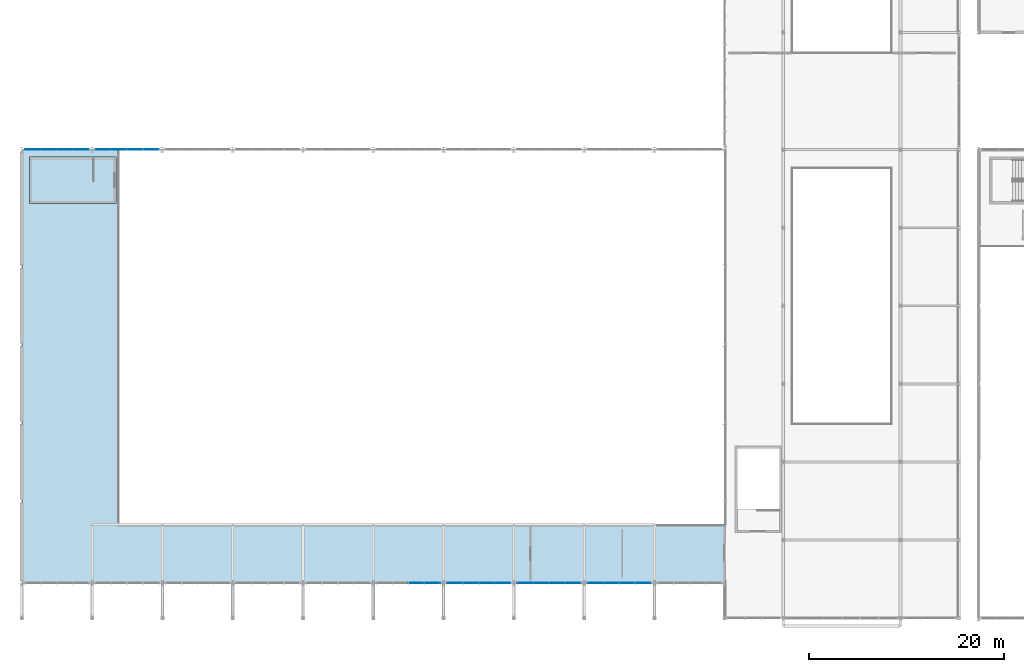
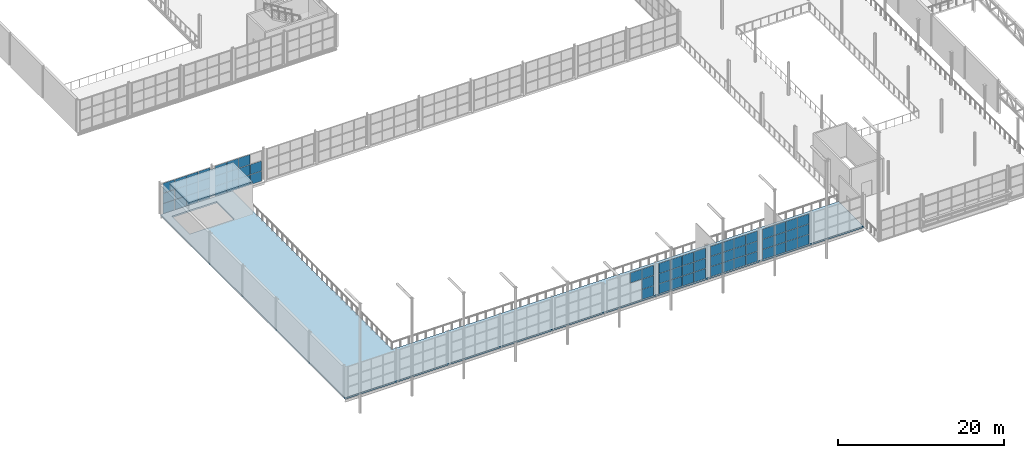
# One storey, part 105 of 143: 63 plates, 2 slabs, 6 elements without a shape of their own.
"""IFC4 building model written with IfcOpenShell, lengths in metres."""

import ifcopenshell
import ifcopenshell.guid

model = None  # the IFC model being written
_history = None  # IfcOwnerHistory: only IFC2X3 demands one
_inside = {}  # id of a spatial element -> (the spatial element, [elements in it])
_under = {}  # id of a project, library or spatial element -> (it, [spatial elements below it])
_declared = {}  # id of a project -> (the project, [libraries it declares])
_typed = {}  # id of a type object -> (the type object, [elements of that type])
_made_of = {}  # id of a material, layer set ... -> (it, [elements and type objects made of it])


def new_model(schema):
    """Start an empty IFC model of exactly this schema.

    Asked for "IFC4X3", IfcOpenShell would pick the latest addendum, in which some entities
    have other attributes; the version numbers below select the first issue.
    IFC2X3 requires an IfcOwnerHistory on every rooted entity: one is made here for all.
    """
    global model, _history
    if schema == "IFC4X3":
        model = ifcopenshell.file(schema_version=(4, 3, 0, 0))
    else:
        model = ifcopenshell.file(schema=schema)
    _inside.clear()
    _under.clear()
    _declared.clear()
    _typed.clear()
    _made_of.clear()
    _history = None
    if model.schema == "IFC2X3":
        org = make("IfcOrganization", Name="unknown")
        user = make(
            "IfcPersonAndOrganization",
            ThePerson=make("IfcPerson", FamilyName="unknown"),
            TheOrganization=org,
        )
        app = make(
            "IfcApplication",
            ApplicationDeveloper=org,
            Version="unknown",
            ApplicationFullName="unknown",
            ApplicationIdentifier="unknown",
        )
        _history = make(
            "IfcOwnerHistory",
            OwningUser=user,
            OwningApplication=app,
            ChangeAction="ADDED",
            CreationDate=0,
        )
    return model


def make(cls, **values):
    """One entity of the class cls with the attributes given. An attribute that is None is left unset."""
    return model.create_entity(
        cls, **{name: value for name, value in values.items() if value is not None}
    )


def rooted(cls, **values):
    """An entity with a GlobalId (a new one), such as an element, a storey or a relation."""
    return make(cls, GlobalId=ifcopenshell.guid.new(), OwnerHistory=_history, **values)


def si_unit(unit_type, name, prefix=None):
    """IfcSIUnit, for example si_unit("LENGTHUNIT", "METRE", prefix="MILLI")."""
    return make("IfcSIUnit", UnitType=unit_type, Prefix=prefix, Name=name)


def derived_unit(unit_type, elements):
    """IfcDerivedUnit: a product of units, each with its exponent."""
    return make(
        "IfcDerivedUnit",
        Elements=[
            make("IfcDerivedUnitElement", Unit=unit, Exponent=power)
            for unit, power in elements
        ],
        UnitType=unit_type,
    )


def assignment(units):
    """IfcUnitAssignment: the units of a project."""
    return None if units is None else make("IfcUnitAssignment", Units=units)


def point(xyz):
    """IfcCartesianPoint."""
    return None if xyz is None else make("IfcCartesianPoint", Coordinates=xyz)


def direction(xyz):
    """IfcDirection."""
    return None if xyz is None else make("IfcDirection", DirectionRatios=xyz)


def frame(location, z_axis=None, x_axis=None):
    """IfcAxis2Placement3D, a coordinate frame: its origin and axes. An axis left out is left unset."""
    return make(
        "IfcAxis2Placement3D",
        Location=point(location),
        Axis=direction(z_axis),
        RefDirection=direction(x_axis),
    )


def frame_2d(location, x_axis=None):
    """IfcAxis2Placement2D, a coordinate frame in the plane: its origin and x axis."""
    return make(
        "IfcAxis2Placement2D", Location=point(location), RefDirection=direction(x_axis)
    )


def origin():
    """The frame at (0, 0, 0) with its axes left unset."""
    return frame((0.0, 0.0, 0.0))


def origin_2d():
    """The frame at (0, 0) in the plane with its x axis left unset."""
    return frame_2d((0.0, 0.0))


def place(relative_to, where):
    """IfcLocalPlacement: puts the frame where relative to a parent placement (None: the world)."""
    return make(
        "IfcLocalPlacement", PlacementRelTo=relative_to, RelativePlacement=where
    )


def context(
    kind, dimensions, precision=None, world=None, true_north=None, identifier=None
):
    """IfcGeometricRepresentationContext, for example the 3D "Model" context."""
    return make(
        "IfcGeometricRepresentationContext",
        ContextIdentifier=identifier,
        ContextType=kind,
        CoordinateSpaceDimension=dimensions,
        Precision=precision,
        WorldCoordinateSystem=world,
        TrueNorth=true_north,
    )


def subcontext(parent, identifier, kind, view, scale=None):
    """IfcGeometricRepresentationSubContext, for example "Body" below "Model"."""
    return make(
        "IfcGeometricRepresentationSubContext",
        ContextIdentifier=identifier,
        ContextType=kind,
        ParentContext=parent,
        TargetScale=scale,
        TargetView=view,
    )


def project(units=None, contexts=None):
    """IfcProject with its units and contexts."""
    return rooted(
        "IfcProject",
        Name="project",
        RepresentationContexts=contexts,
        UnitsInContext=assignment(units),
    )


def spatial(cls, under=None, at=None, **own):
    """A site, building, storey or space (cls), placed at a placement, below another one or the project."""
    s = rooted(cls, ObjectPlacement=at, **own)
    if under is not None:
        _under.setdefault(under.id(), (under, []))[1].append(s)
    return s


def polyline(points):
    """IfcPolyline through the points."""
    return make("IfcPolyline", Points=[point(p) for p in points])


def profile(cls, at=None, kind="AREA", **sizes):
    """A parametric profile (cls). Its sizes go by their IFC names, for example OverallWidth=200.0."""
    return make(cls, ProfileType=kind, Position=at, **sizes)


def rectangle(**sizes):
    """IfcRectangleProfileDef."""
    return profile("IfcRectangleProfileDef", **sizes)


def outline(outer, holes=None, kind="AREA"):
    """IfcArbitraryClosedProfileDef: a profile drawn as a closed curve; with holes, ...WithVoids."""
    if holes is None:
        return make("IfcArbitraryClosedProfileDef", ProfileType=kind, OuterCurve=outer)
    return make(
        "IfcArbitraryProfileDefWithVoids",
        ProfileType=kind,
        OuterCurve=outer,
        InnerCurves=holes,
    )


def extrude(swept, where, along, depth):
    """IfcExtrudedAreaSolid: the profile swept, set in the frame where, extruded along a direction by depth."""
    return make(
        "IfcExtrudedAreaSolid",
        SweptArea=swept,
        Position=where,
        ExtrudedDirection=direction(along),
        Depth=depth,
    )


def shape(context_of_items, identifier, shape_type, items):
    """IfcShapeRepresentation: the items that make up one representation, for example the "Body"."""
    return make(
        "IfcShapeRepresentation",
        ContextOfItems=context_of_items,
        RepresentationIdentifier=identifier,
        RepresentationType=shape_type,
        Items=items,
    )


def material(Name=None, Category=None):
    """IfcMaterial."""
    return make("IfcMaterial", Name=Name, Category=Category)


def layer(
    of_material, thickness, ventilated=None, Name=None, Category=None, Priority=None
):
    """IfcMaterialLayer: one layer of a wall or slab, of a material (None: an air gap)."""
    return make(
        "IfcMaterialLayer",
        Material=of_material,
        LayerThickness=thickness,
        IsVentilated=ventilated,
        Name=Name,
        Category=Category,
        Priority=Priority,
    )


def layer_set(layers, Name=None):
    """IfcMaterialLayerSet."""
    return make("IfcMaterialLayerSet", MaterialLayers=layers, LayerSetName=Name)


def made_of(thing, what):
    """Note that an element or type object is made of a material, layer set ...; save() writes the relation."""
    if what is not None:
        _made_of.setdefault(what.id(), (what, []))[1].append(thing)
    return thing


def type_object(cls, material=None, **own):
    """A type object (cls), such as IfcWallType, which elements share."""
    return made_of(rooted(cls, **own), material)


def element(
    cls,
    number,
    at=None,
    inside=None,
    cuts=None,
    type_object=None,
    material=None,
    context=None,
    identifier="Body",
    shape_type=None,
    held_by="IfcProductDefinitionShape",
    body=None,
    shapes=None,
    **own,
):
    """One element of the class cls, such as IfcWall. Its Tag is "e" and its number.

    at: its placement. inside: the storey or other place that contains it. cuts: it is an
    opening in that element (IfcRelVoidsElement). A single representation is given by context,
    identifier, shape_type and body (its items); several are given by shapes. held_by: the class
    of the entity that holds the representations. save() writes the other relations.
    """
    e = rooted(cls, Tag="e%d" % number, ObjectPlacement=at, **own)
    if body is not None:
        shapes = [shape(context, identifier, shape_type, body)]
    if shapes is not None:
        e.Representation = make(held_by, Representations=shapes)
    if inside is not None:
        _inside.setdefault(inside.id(), (inside, []))[1].append(e)
    if cuts is not None:
        rooted(
            "IfcRelVoidsElement", RelatingBuildingElement=cuts, RelatedOpeningElement=e
        )
    if type_object is not None:
        _typed.setdefault(type_object.id(), (type_object, []))[1].append(e)
    return made_of(e, material)


def aggregate(whole, parts):
    """IfcRelAggregates: a whole, such as a stair, and the parts it consists of."""
    return rooted("IfcRelAggregates", RelatingObject=whole, RelatedObjects=parts)


def save(model, path):
    """Write the relations noted so far, then the file.

    IfcRelAggregates (storeys below a building ...), IfcRelContainedInSpatialStructure (elements
    in a storey), IfcRelDefinesByType, IfcRelAssociatesMaterial and IfcRelDeclares: one each for
    every whole, place, type object, material and project.
    """
    for whole, parts in _under.values():
        aggregate(whole, parts)
    for where, things in _inside.values():
        rooted(
            "IfcRelContainedInSpatialStructure",
            RelatedElements=things,
            RelatingStructure=where,
        )
    for kind, things in _typed.values():
        rooted("IfcRelDefinesByType", RelatedObjects=things, RelatingType=kind)
    for what, things in _made_of.values():
        rooted("IfcRelAssociatesMaterial", RelatedObjects=things, RelatingMaterial=what)
    for by, libraries in _declared.values():
        rooted("IfcRelDeclares", RelatingContext=by, RelatedDefinitions=libraries)
    model.write(path)


model = new_model("IFC4")

# Units and contexts
model_context = context("Model", 3, precision=1e-05, world=origin(), true_north=direction((0.0, 1.0)))
body_context = subcontext(model_context, "Body", "Model", "MODEL_VIEW")
ifc_project = project(units=[si_unit("LENGTHUNIT", "METRE"), si_unit("AREAUNIT", "SQUARE_METRE"), si_unit("VOLUMEUNIT", "CUBIC_METRE"), si_unit("PLANEANGLEUNIT", "RADIAN"), si_unit("MASSUNIT", "GRAM", prefix="KILO"), derived_unit("THERMALTRANSMITTANCEUNIT", [(si_unit("POWERUNIT", "WATT"), 1), (si_unit("LENGTHUNIT", "METRE"), -2), (si_unit("THERMODYNAMICTEMPERATUREUNIT", "KELVIN"), -1)])], contexts=[model_context])

# Site, building, storey
site_placement = place(None, origin())
site = spatial("IfcSite", under=ifc_project, at=site_placement, CompositionType="ELEMENT")
building_placement = place(site_placement, origin())
building = spatial("IfcBuilding", under=site, at=building_placement, Name="Keldorne Ridge Multi-Sports Centre", CompositionType="ELEMENT")
storey_placement = place(building_placement, frame((0.0, 0.0, 4.800048828125)))
storey = spatial("IfcBuildingStorey", under=building, at=storey_placement, Name="L01", CompositionType="ELEMENT", Elevation=4.800048828125)

# Curtain wall, plates
ifc_material_1 = material(Name="Anodized aluminium", Category="aluminium")
curtain_wall_type_1 = type_object("IfcCurtainWallType", Name="CW-CW-03", PredefinedType="NOTDEFINED", material=ifc_material_1)
curtain_wall_1_placement = place(storey_placement, origin())
curtain_wall_1 = element("IfcCurtainWall", 1, at=curtain_wall_1_placement, inside=storey, type_object=curtain_wall_type_1, Name="Main Hall north clerestory curtain wall 003", PredefinedType="NOTDEFINED")
ifc_material_2 = material(Name="Double low-e insulated glazing", Category="glass")
ifc_layer_1 = layer(ifc_material_2, 0.035888671875)
ifc_layer_set_1 = layer_set([ifc_layer_1])
plate_type_1 = type_object("IfcPlateType", Name="PLT-GL-01", PredefinedType="CURTAIN_PANEL", material=ifc_layer_set_1)
plate_1_placement = place(storey_placement, frame((12.044921875, 54.0, 0.02001953125), z_axis=(0.0, 0.0, 1.0), x_axis=(-1.0, 0.0, 0.0)))
plate_1 = element("IfcPlate", 2, at=plate_1_placement, type_object=plate_type_1, Name="CW-003 glazed panel 1.1", PredefinedType="CURTAIN_PANEL", context=body_context, shape_type="SweptSolid", body=[
    extrude(rectangle(XDim=1.590087890625, YDim=0.035888671875, at=origin_2d()), origin(), (0.0, 0.0, 1.0), 1.4599609375),
])
plate_2_placement = place(storey_placement, frame((12.044921875, 54.0, 1.52001953125), z_axis=(0.0, 0.0, 1.0), x_axis=(-1.0, 0.0, 0.0)))
plate_2 = element("IfcPlate", 3, at=plate_2_placement, type_object=plate_type_1, Name="CW-003 glazed panel 1.2", PredefinedType="CURTAIN_PANEL", context=body_context, shape_type="SweptSolid", body=[
    extrude(rectangle(XDim=1.590087890625, YDim=0.035888671875, at=origin_2d()), origin(), (0.0, 0.0, 1.0), 1.4599609375),
])
plate_3_placement = place(storey_placement, frame((12.044921875, 54.0, 3.02001953125), z_axis=(0.0, 0.0, 1.0), x_axis=(-1.0, 0.0, 0.0)))
plate_3 = element("IfcPlate", 4, at=plate_3_placement, type_object=plate_type_1, Name="CW-003 glazed panel 1.3", PredefinedType="CURTAIN_PANEL", context=body_context, shape_type="SweptSolid", body=[
    extrude(rectangle(XDim=1.590087890625, YDim=0.035888671875, at=origin_2d()), origin(), (0.0, 0.0, 1.0), 1.4599609375),
])
plate_4_placement = place(storey_placement, frame((10.4150390625, 54.0, 0.02001953125), z_axis=(0.0, 0.0, 1.0), x_axis=(-1.0, 0.0, 0.0)))
plate_4 = element("IfcPlate", 5, at=plate_4_placement, type_object=plate_type_1, Name="CW-003 glazed panel 2.1", PredefinedType="CURTAIN_PANEL", context=body_context, shape_type="SweptSolid", body=[
    extrude(rectangle(XDim=1.590087890625, YDim=0.035888671875, at=origin_2d()), origin(), (0.0, 0.0, 1.0), 1.4599609375),
])
plate_5_placement = place(storey_placement, frame((10.4150390625, 54.0, 1.52001953125), z_axis=(0.0, 0.0, 1.0), x_axis=(-1.0, 0.0, 0.0)))
plate_5 = element("IfcPlate", 6, at=plate_5_placement, type_object=plate_type_1, Name="CW-003 glazed panel 2.2", PredefinedType="CURTAIN_PANEL", context=body_context, shape_type="SweptSolid", body=[
    extrude(rectangle(XDim=1.590087890625, YDim=0.035888671875, at=origin_2d()), origin(), (0.0, 0.0, 1.0), 1.4599609375),
])
plate_6_placement = place(storey_placement, frame((10.4150390625, 54.0, 3.02001953125), z_axis=(0.0, 0.0, 1.0), x_axis=(-1.0, 0.0, 0.0)))
plate_6 = element("IfcPlate", 7, at=plate_6_placement, type_object=plate_type_1, Name="CW-003 glazed panel 2.3", PredefinedType="CURTAIN_PANEL", context=body_context, shape_type="SweptSolid", body=[
    extrude(rectangle(XDim=1.590087890625, YDim=0.035888671875, at=origin_2d()), origin(), (0.0, 0.0, 1.0), 1.4599609375),
])
plate_7_placement = place(storey_placement, frame((8.784912109375, 54.0, 0.02001953125), z_axis=(0.0, 0.0, 1.0), x_axis=(-1.0, 0.0, 0.0)))
plate_7 = element("IfcPlate", 8, at=plate_7_placement, type_object=plate_type_1, Name="CW-003 glazed panel 3.1", PredefinedType="CURTAIN_PANEL", context=body_context, shape_type="SweptSolid", body=[
    extrude(rectangle(XDim=1.590087890625, YDim=0.035888671875, at=origin_2d()), origin(), (0.0, 0.0, 1.0), 1.4599609375),
])
plate_8_placement = place(storey_placement, frame((8.784912109375, 54.0, 1.52001953125), z_axis=(0.0, 0.0, 1.0), x_axis=(-1.0, 0.0, 0.0)))
plate_8 = element("IfcPlate", 9, at=plate_8_placement, type_object=plate_type_1, Name="CW-003 glazed panel 3.2", PredefinedType="CURTAIN_PANEL", context=body_context, shape_type="SweptSolid", body=[
    extrude(rectangle(XDim=1.590087890625, YDim=0.035888671875, at=origin_2d()), origin(), (0.0, 0.0, 1.0), 1.4599609375),
])
plate_9_placement = place(storey_placement, frame((8.784912109375, 54.0, 3.02001953125), z_axis=(0.0, 0.0, 1.0), x_axis=(-1.0, 0.0, 0.0)))
plate_9 = element("IfcPlate", 10, at=plate_9_placement, type_object=plate_type_1, Name="CW-003 glazed panel 3.3", PredefinedType="CURTAIN_PANEL", context=body_context, shape_type="SweptSolid", body=[
    extrude(rectangle(XDim=1.590087890625, YDim=0.035888671875, at=origin_2d()), origin(), (0.0, 0.0, 1.0), 1.4599609375),
])
plate_10_placement = place(storey_placement, frame((7.155029296875, 54.0, 0.02001953125), z_axis=(0.0, 0.0, 1.0), x_axis=(-1.0, 0.0, 0.0)))
plate_10 = element("IfcPlate", 11, at=plate_10_placement, type_object=plate_type_1, Name="CW-003 glazed panel 4.1", PredefinedType="CURTAIN_PANEL", context=body_context, shape_type="SweptSolid", body=[
    extrude(rectangle(XDim=1.590087890625, YDim=0.035888671875, at=origin_2d()), origin(), (0.0, 0.0, 1.0), 1.4599609375),
])
plate_11_placement = place(storey_placement, frame((7.155029296875, 54.0, 1.52001953125), z_axis=(0.0, 0.0, 1.0), x_axis=(-1.0, 0.0, 0.0)))
plate_11 = element("IfcPlate", 12, at=plate_11_placement, type_object=plate_type_1, Name="CW-003 glazed panel 4.2", PredefinedType="CURTAIN_PANEL", context=body_context, shape_type="SweptSolid", body=[
    extrude(rectangle(XDim=1.590087890625, YDim=0.035888671875, at=origin_2d()), origin(), (0.0, 0.0, 1.0), 1.4599609375),
])
plate_12_placement = place(storey_placement, frame((7.155029296875, 54.0, 3.02001953125), z_axis=(0.0, 0.0, 1.0), x_axis=(-1.0, 0.0, 0.0)))
plate_12 = element("IfcPlate", 13, at=plate_12_placement, type_object=plate_type_1, Name="CW-003 glazed panel 4.3", PredefinedType="CURTAIN_PANEL", context=body_context, shape_type="SweptSolid", body=[
    extrude(rectangle(XDim=1.590087890625, YDim=0.035888671875, at=origin_2d()), origin(), (0.0, 0.0, 1.0), 1.4599609375),
])
aggregate(curtain_wall_1, [plate_1, plate_2, plate_3, plate_4, plate_5, plate_6, plate_7, plate_8, plate_9, plate_10, plate_11, plate_12])

curtain_wall_type_2 = type_object("IfcCurtainWallType", Name="CW-CW-06", PredefinedType="NOTDEFINED", material=ifc_material_1)
curtain_wall_2_placement = place(storey_placement, origin())
curtain_wall_2 = element("IfcCurtainWall", 14, at=curtain_wall_2_placement, inside=storey, type_object=curtain_wall_type_2, Name="Main Hall north clerestory curtain wall 006", PredefinedType="NOTDEFINED")
plate_13_placement = place(storey_placement, frame((19.2451171875, 54.0, 0.02001953125), z_axis=(0.0, 0.0, 1.0), x_axis=(-1.0, 0.0, 0.0)))
plate_13 = element("IfcPlate", 15, at=plate_13_placement, type_object=plate_type_1, Name="CW-006 glazed panel 1.1", PredefinedType="CURTAIN_PANEL", context=body_context, shape_type="SweptSolid", body=[
    extrude(rectangle(XDim=1.590087890625, YDim=0.035888671875, at=origin_2d()), origin(), (0.0, 0.0, 1.0), 1.4599609375),
])
plate_14_placement = place(storey_placement, frame((19.2451171875, 54.0, 1.52001953125), z_axis=(0.0, 0.0, 1.0), x_axis=(-1.0, 0.0, 0.0)))
plate_14 = element("IfcPlate", 16, at=plate_14_placement, type_object=plate_type_1, Name="CW-006 glazed panel 1.2", PredefinedType="CURTAIN_PANEL", context=body_context, shape_type="SweptSolid", body=[
    extrude(rectangle(XDim=1.590087890625, YDim=0.035888671875, at=origin_2d()), origin(), (0.0, 0.0, 1.0), 1.4599609375),
])
plate_15_placement = place(storey_placement, frame((17.614990234375, 54.0, 0.02001953125), z_axis=(0.0, 0.0, 1.0), x_axis=(-1.0, 0.0, 0.0)))
plate_15 = element("IfcPlate", 17, at=plate_15_placement, type_object=plate_type_1, Name="CW-006 glazed panel 2.1", PredefinedType="CURTAIN_PANEL", context=body_context, shape_type="SweptSolid", body=[
    extrude(rectangle(XDim=1.590087890625, YDim=0.035888671875, at=origin_2d()), origin(), (0.0, 0.0, 1.0), 1.4599609375),
])
plate_16_placement = place(storey_placement, frame((17.614990234375, 54.0, 1.52001953125), z_axis=(0.0, 0.0, 1.0), x_axis=(-1.0, 0.0, 0.0)))
plate_16 = element("IfcPlate", 18, at=plate_16_placement, type_object=plate_type_1, Name="CW-006 glazed panel 2.2", PredefinedType="CURTAIN_PANEL", context=body_context, shape_type="SweptSolid", body=[
    extrude(rectangle(XDim=1.590087890625, YDim=0.035888671875, at=origin_2d()), origin(), (0.0, 0.0, 1.0), 1.4599609375),
])
plate_17_placement = place(storey_placement, frame((17.614990234375, 54.0, 3.02001953125), z_axis=(0.0, 0.0, 1.0), x_axis=(-1.0, 0.0, 0.0)))
plate_17 = element("IfcPlate", 19, at=plate_17_placement, type_object=plate_type_1, Name="CW-006 glazed panel 2.3", PredefinedType="CURTAIN_PANEL", context=body_context, shape_type="SweptSolid", body=[
    extrude(rectangle(XDim=1.590087890625, YDim=0.035888671875, at=origin_2d()), origin(), (0.0, 0.0, 1.0), 1.4599609375),
])
plate_18_placement = place(storey_placement, frame((15.985107421875, 54.0, 0.02001953125), z_axis=(0.0, 0.0, 1.0), x_axis=(-1.0, 0.0, 0.0)))
plate_18 = element("IfcPlate", 20, at=plate_18_placement, type_object=plate_type_1, Name="CW-006 glazed panel 3.1", PredefinedType="CURTAIN_PANEL", context=body_context, shape_type="SweptSolid", body=[
    extrude(rectangle(XDim=1.590087890625, YDim=0.035888671875, at=origin_2d()), origin(), (0.0, 0.0, 1.0), 1.4599609375),
])
plate_19_placement = place(storey_placement, frame((15.985107421875, 54.0, 1.52001953125), z_axis=(0.0, 0.0, 1.0), x_axis=(-1.0, 0.0, 0.0)))
plate_19 = element("IfcPlate", 21, at=plate_19_placement, type_object=plate_type_1, Name="CW-006 glazed panel 3.2", PredefinedType="CURTAIN_PANEL", context=body_context, shape_type="SweptSolid", body=[
    extrude(rectangle(XDim=1.590087890625, YDim=0.035888671875, at=origin_2d()), origin(), (0.0, 0.0, 1.0), 1.4599609375),
])
plate_20_placement = place(storey_placement, frame((15.985107421875, 54.0, 3.02001953125), z_axis=(0.0, 0.0, 1.0), x_axis=(-1.0, 0.0, 0.0)))
plate_20 = element("IfcPlate", 22, at=plate_20_placement, type_object=plate_type_1, Name="CW-006 glazed panel 3.3", PredefinedType="CURTAIN_PANEL", context=body_context, shape_type="SweptSolid", body=[
    extrude(rectangle(XDim=1.590087890625, YDim=0.035888671875, at=origin_2d()), origin(), (0.0, 0.0, 1.0), 1.4599609375),
])
plate_21_placement = place(storey_placement, frame((14.35498046875, 54.0, 0.02001953125), z_axis=(0.0, 0.0, 1.0), x_axis=(-1.0, 0.0, 0.0)))
plate_21 = element("IfcPlate", 23, at=plate_21_placement, type_object=plate_type_1, Name="CW-006 glazed panel 4.1", PredefinedType="CURTAIN_PANEL", context=body_context, shape_type="SweptSolid", body=[
    extrude(rectangle(XDim=1.590087890625, YDim=0.035888671875, at=origin_2d()), origin(), (0.0, 0.0, 1.0), 1.4599609375),
])
plate_22_placement = place(storey_placement, frame((14.35498046875, 54.0, 1.52001953125), z_axis=(0.0, 0.0, 1.0), x_axis=(-1.0, 0.0, 0.0)))
plate_22 = element("IfcPlate", 24, at=plate_22_placement, type_object=plate_type_1, Name="CW-006 glazed panel 4.2", PredefinedType="CURTAIN_PANEL", context=body_context, shape_type="SweptSolid", body=[
    extrude(rectangle(XDim=1.590087890625, YDim=0.035888671875, at=origin_2d()), origin(), (0.0, 0.0, 1.0), 1.4599609375),
])
plate_23_placement = place(storey_placement, frame((14.35498046875, 54.0, 3.02001953125), z_axis=(0.0, 0.0, 1.0), x_axis=(-1.0, 0.0, 0.0)))
plate_23 = element("IfcPlate", 25, at=plate_23_placement, type_object=plate_type_1, Name="CW-006 glazed panel 4.3", PredefinedType="CURTAIN_PANEL", context=body_context, shape_type="SweptSolid", body=[
    extrude(rectangle(XDim=1.590087890625, YDim=0.035888671875, at=origin_2d()), origin(), (0.0, 0.0, 1.0), 1.4599609375),
])
aggregate(curtain_wall_2, [plate_13, plate_14, plate_15, plate_16, plate_17, plate_18, plate_19, plate_20, plate_21, plate_22, plate_23])

curtain_wall_type_3 = type_object("IfcCurtainWallType", Name="CW-CW-07", PredefinedType="NOTDEFINED", material=ifc_material_1)
curtain_wall_3_placement = place(storey_placement, origin())
curtain_wall_3 = element("IfcCurtainWall", 26, at=curtain_wall_3_placement, inside=storey, type_object=curtain_wall_type_3, Name="Main Hall south mezzanine curtain wall 015", PredefinedType="NOTDEFINED")
ifc_material_3 = material(Name="Triple acoustic low-e glazing", Category="glass")
ifc_layer_2 = layer(ifc_material_3, 0.0439453125)
ifc_layer_set_2 = layer_set([ifc_layer_2])
plate_type_2 = type_object("IfcPlateType", Name="PLT-GL-02", PredefinedType="CURTAIN_PANEL", material=ifc_layer_set_2)
plate_24_placement = place(storey_placement, frame((46.4150390625, 9.60009765625, 3.02001953125), z_axis=(0.0, 0.0, 1.0), x_axis=(1.0, 0.0, 0.0)))
plate_24 = element("IfcPlate", 27, at=plate_24_placement, type_object=plate_type_2, Name="CW-015 glazed panel 3.3", PredefinedType="CURTAIN_PANEL", context=body_context, shape_type="SweptSolid", body=[
    extrude(rectangle(XDim=1.590087890625, YDim=0.0439453125, at=origin_2d()), origin(), (0.0, 0.0, 1.0), 1.4599609375),
])
plate_25_placement = place(storey_placement, frame((48.044921875, 9.60009765625, 0.02001953125), z_axis=(0.0, 0.0, 1.0), x_axis=(1.0, 0.0, 0.0)))
plate_25 = element("IfcPlate", 28, at=plate_25_placement, type_object=plate_type_2, Name="CW-015 glazed panel 4.1", PredefinedType="CURTAIN_PANEL", context=body_context, shape_type="SweptSolid", body=[
    extrude(rectangle(XDim=1.590087890625, YDim=0.0439453125, at=origin_2d()), origin(), (0.0, 0.0, 1.0), 1.4599609375),
])
plate_26_placement = place(storey_placement, frame((48.044921875, 9.60009765625, 1.52001953125), z_axis=(0.0, 0.0, 1.0), x_axis=(1.0, 0.0, 0.0)))
plate_26 = element("IfcPlate", 29, at=plate_26_placement, type_object=plate_type_2, Name="CW-015 glazed panel 4.2", PredefinedType="CURTAIN_PANEL", context=body_context, shape_type="SweptSolid", body=[
    extrude(rectangle(XDim=1.590087890625, YDim=0.0439453125, at=origin_2d()), origin(), (0.0, 0.0, 1.0), 1.4599609375),
])
plate_27_placement = place(storey_placement, frame((48.044921875, 9.60009765625, 3.02001953125), z_axis=(0.0, 0.0, 1.0), x_axis=(1.0, 0.0, 0.0)))
plate_27 = element("IfcPlate", 30, at=plate_27_placement, type_object=plate_type_2, Name="CW-015 glazed panel 4.3", PredefinedType="CURTAIN_PANEL", context=body_context, shape_type="SweptSolid", body=[
    extrude(rectangle(XDim=1.590087890625, YDim=0.0439453125, at=origin_2d()), origin(), (0.0, 0.0, 1.0), 1.4599609375),
])
aggregate(curtain_wall_3, [plate_24, plate_25, plate_26, plate_27])

curtain_wall_type_4 = type_object("IfcCurtainWallType", Name="CW-CW-01", PredefinedType="NOTDEFINED", material=ifc_material_1)
curtain_wall_4_placement = place(storey_placement, origin())
curtain_wall_4 = element("IfcCurtainWall", 31, at=curtain_wall_4_placement, inside=storey, type_object=curtain_wall_type_4, Name="Main Hall south mezzanine curtain wall 017", PredefinedType="NOTDEFINED")
plate_28_placement = place(storey_placement, frame((50.35498046875, 9.60009765625, 0.02001953125), z_axis=(0.0, 0.0, 1.0), x_axis=(1.0, 0.0, 0.0)))
plate_28 = element("IfcPlate", 32, at=plate_28_placement, type_object=plate_type_2, Name="CW-017 glazed panel 1.1", PredefinedType="CURTAIN_PANEL", context=body_context, shape_type="SweptSolid", body=[
    extrude(rectangle(XDim=1.590087890625, YDim=0.0439453125, at=origin_2d()), origin(), (0.0, 0.0, 1.0), 1.4599609375),
])
plate_29_placement = place(storey_placement, frame((50.35498046875, 9.60009765625, 1.52001953125), z_axis=(0.0, 0.0, 1.0), x_axis=(1.0, 0.0, 0.0)))
plate_29 = element("IfcPlate", 33, at=plate_29_placement, type_object=plate_type_2, Name="CW-017 glazed panel 1.2", PredefinedType="CURTAIN_PANEL", context=body_context, shape_type="SweptSolid", body=[
    extrude(rectangle(XDim=1.590087890625, YDim=0.0439453125, at=origin_2d()), origin(), (0.0, 0.0, 1.0), 1.4599609375),
])
plate_30_placement = place(storey_placement, frame((50.35498046875, 9.60009765625, 3.02001953125), z_axis=(0.0, 0.0, 1.0), x_axis=(1.0, 0.0, 0.0)))
plate_30 = element("IfcPlate", 34, at=plate_30_placement, type_object=plate_type_2, Name="CW-017 glazed panel 1.3", PredefinedType="CURTAIN_PANEL", context=body_context, shape_type="SweptSolid", body=[
    extrude(rectangle(XDim=1.590087890625, YDim=0.0439453125, at=origin_2d()), origin(), (0.0, 0.0, 1.0), 1.4599609375),
])
plate_31_placement = place(storey_placement, frame((51.985107421875, 9.60009765625, 0.02001953125), z_axis=(0.0, 0.0, 1.0), x_axis=(1.0, 0.0, 0.0)))
plate_31 = element("IfcPlate", 35, at=plate_31_placement, type_object=plate_type_2, Name="CW-017 glazed panel 2.1", PredefinedType="CURTAIN_PANEL", context=body_context, shape_type="SweptSolid", body=[
    extrude(rectangle(XDim=1.590087890625, YDim=0.0439453125, at=origin_2d()), origin(), (0.0, 0.0, 1.0), 1.4599609375),
])
plate_32_placement = place(storey_placement, frame((51.985107421875, 9.60009765625, 1.52001953125), z_axis=(0.0, 0.0, 1.0), x_axis=(1.0, 0.0, 0.0)))
plate_32 = element("IfcPlate", 36, at=plate_32_placement, type_object=plate_type_2, Name="CW-017 glazed panel 2.2", PredefinedType="CURTAIN_PANEL", context=body_context, shape_type="SweptSolid", body=[
    extrude(rectangle(XDim=1.590087890625, YDim=0.0439453125, at=origin_2d()), origin(), (0.0, 0.0, 1.0), 1.4599609375),
])
plate_33_placement = place(storey_placement, frame((51.985107421875, 9.60009765625, 3.02001953125), z_axis=(0.0, 0.0, 1.0), x_axis=(1.0, 0.0, 0.0)))
plate_33 = element("IfcPlate", 37, at=plate_33_placement, type_object=plate_type_2, Name="CW-017 glazed panel 2.3", PredefinedType="CURTAIN_PANEL", context=body_context, shape_type="SweptSolid", body=[
    extrude(rectangle(XDim=1.590087890625, YDim=0.0439453125, at=origin_2d()), origin(), (0.0, 0.0, 1.0), 1.4599609375),
])
plate_34_placement = place(storey_placement, frame((53.614990234375, 9.60009765625, 0.02001953125), z_axis=(0.0, 0.0, 1.0), x_axis=(1.0, 0.0, 0.0)))
plate_34 = element("IfcPlate", 38, at=plate_34_placement, type_object=plate_type_2, Name="CW-017 glazed panel 3.1", PredefinedType="CURTAIN_PANEL", context=body_context, shape_type="SweptSolid", body=[
    extrude(rectangle(XDim=1.590087890625, YDim=0.0439453125, at=origin_2d()), origin(), (0.0, 0.0, 1.0), 1.4599609375),
])
plate_35_placement = place(storey_placement, frame((53.614990234375, 9.60009765625, 1.52001953125), z_axis=(0.0, 0.0, 1.0), x_axis=(1.0, 0.0, 0.0)))
plate_35 = element("IfcPlate", 39, at=plate_35_placement, type_object=plate_type_2, Name="CW-017 glazed panel 3.2", PredefinedType="CURTAIN_PANEL", context=body_context, shape_type="SweptSolid", body=[
    extrude(rectangle(XDim=1.590087890625, YDim=0.0439453125, at=origin_2d()), origin(), (0.0, 0.0, 1.0), 1.4599609375),
])
plate_36_placement = place(storey_placement, frame((53.614990234375, 9.60009765625, 3.02001953125), z_axis=(0.0, 0.0, 1.0), x_axis=(1.0, 0.0, 0.0)))
plate_36 = element("IfcPlate", 40, at=plate_36_placement, type_object=plate_type_2, Name="CW-017 glazed panel 3.3", PredefinedType="CURTAIN_PANEL", context=body_context, shape_type="SweptSolid", body=[
    extrude(rectangle(XDim=1.590087890625, YDim=0.0439453125, at=origin_2d()), origin(), (0.0, 0.0, 1.0), 1.4599609375),
])
plate_37_placement = place(storey_placement, frame((55.2451171875, 9.60009765625, 0.02001953125), z_axis=(0.0, 0.0, 1.0), x_axis=(1.0, 0.0, 0.0)))
plate_37 = element("IfcPlate", 41, at=plate_37_placement, type_object=plate_type_2, Name="CW-017 glazed panel 4.1", PredefinedType="CURTAIN_PANEL", context=body_context, shape_type="SweptSolid", body=[
    extrude(rectangle(XDim=1.590087890625, YDim=0.0439453125, at=origin_2d()), origin(), (0.0, 0.0, 1.0), 1.4599609375),
])
plate_38_placement = place(storey_placement, frame((55.2451171875, 9.60009765625, 1.52001953125), z_axis=(0.0, 0.0, 1.0), x_axis=(1.0, 0.0, 0.0)))
plate_38 = element("IfcPlate", 42, at=plate_38_placement, type_object=plate_type_2, Name="CW-017 glazed panel 4.2", PredefinedType="CURTAIN_PANEL", context=body_context, shape_type="SweptSolid", body=[
    extrude(rectangle(XDim=1.590087890625, YDim=0.0439453125, at=origin_2d()), origin(), (0.0, 0.0, 1.0), 1.4599609375),
])
plate_39_placement = place(storey_placement, frame((55.2451171875, 9.60009765625, 3.02001953125), z_axis=(0.0, 0.0, 1.0), x_axis=(1.0, 0.0, 0.0)))
plate_39 = element("IfcPlate", 43, at=plate_39_placement, type_object=plate_type_2, Name="CW-017 glazed panel 4.3", PredefinedType="CURTAIN_PANEL", context=body_context, shape_type="SweptSolid", body=[
    extrude(rectangle(XDim=1.590087890625, YDim=0.0439453125, at=origin_2d()), origin(), (0.0, 0.0, 1.0), 1.4599609375),
])
aggregate(curtain_wall_4, [plate_28, plate_29, plate_30, plate_31, plate_32, plate_33, plate_34, plate_35, plate_36, plate_37, plate_38, plate_39])

curtain_wall_type_5 = type_object("IfcCurtainWallType", Name="CW-CW-04", PredefinedType="NOTDEFINED", material=ifc_material_1)
curtain_wall_5_placement = place(storey_placement, origin())
curtain_wall_5 = element("IfcCurtainWall", 44, at=curtain_wall_5_placement, inside=storey, type_object=curtain_wall_type_5, Name="Main Hall south mezzanine curtain wall 020", PredefinedType="NOTDEFINED")
plate_40_placement = place(storey_placement, frame((57.554931640625, 9.60009765625, 0.02001953125), z_axis=(0.0, 0.0, 1.0), x_axis=(1.0, 0.0, 0.0)))
plate_40 = element("IfcPlate", 45, at=plate_40_placement, type_object=plate_type_2, Name="CW-020 glazed panel 1.1", PredefinedType="CURTAIN_PANEL", context=body_context, shape_type="SweptSolid", body=[
    extrude(rectangle(XDim=1.590087890625, YDim=0.0439453125, at=origin_2d()), origin(), (0.0, 0.0, 1.0), 1.4599609375),
])
plate_41_placement = place(storey_placement, frame((57.554931640625, 9.60009765625, 1.52001953125), z_axis=(0.0, 0.0, 1.0), x_axis=(1.0, 0.0, 0.0)))
plate_41 = element("IfcPlate", 46, at=plate_41_placement, type_object=plate_type_2, Name="CW-020 glazed panel 1.2", PredefinedType="CURTAIN_PANEL", context=body_context, shape_type="SweptSolid", body=[
    extrude(rectangle(XDim=1.590087890625, YDim=0.0439453125, at=origin_2d()), origin(), (0.0, 0.0, 1.0), 1.4599609375),
])
plate_42_placement = place(storey_placement, frame((57.554931640625, 9.60009765625, 3.02001953125), z_axis=(0.0, 0.0, 1.0), x_axis=(1.0, 0.0, 0.0)))
plate_42 = element("IfcPlate", 47, at=plate_42_placement, type_object=plate_type_2, Name="CW-020 glazed panel 1.3", PredefinedType="CURTAIN_PANEL", context=body_context, shape_type="SweptSolid", body=[
    extrude(rectangle(XDim=1.590087890625, YDim=0.0439453125, at=origin_2d()), origin(), (0.0, 0.0, 1.0), 1.4599609375),
])
plate_43_placement = place(storey_placement, frame((59.18505859375, 9.60009765625, 0.02001953125), z_axis=(0.0, 0.0, 1.0), x_axis=(1.0, 0.0, 0.0)))
plate_43 = element("IfcPlate", 48, at=plate_43_placement, type_object=plate_type_2, Name="CW-020 glazed panel 2.1", PredefinedType="CURTAIN_PANEL", context=body_context, shape_type="SweptSolid", body=[
    extrude(rectangle(XDim=1.590087890625, YDim=0.0439453125, at=origin_2d()), origin(), (0.0, 0.0, 1.0), 1.4599609375),
])
plate_44_placement = place(storey_placement, frame((59.18505859375, 9.60009765625, 1.52001953125), z_axis=(0.0, 0.0, 1.0), x_axis=(1.0, 0.0, 0.0)))
plate_44 = element("IfcPlate", 49, at=plate_44_placement, type_object=plate_type_2, Name="CW-020 glazed panel 2.2", PredefinedType="CURTAIN_PANEL", context=body_context, shape_type="SweptSolid", body=[
    extrude(rectangle(XDim=1.590087890625, YDim=0.0439453125, at=origin_2d()), origin(), (0.0, 0.0, 1.0), 1.4599609375),
])
plate_45_placement = place(storey_placement, frame((59.18505859375, 9.60009765625, 3.02001953125), z_axis=(0.0, 0.0, 1.0), x_axis=(1.0, 0.0, 0.0)))
plate_45 = element("IfcPlate", 50, at=plate_45_placement, type_object=plate_type_2, Name="CW-020 glazed panel 2.3", PredefinedType="CURTAIN_PANEL", context=body_context, shape_type="SweptSolid", body=[
    extrude(rectangle(XDim=1.590087890625, YDim=0.0439453125, at=origin_2d()), origin(), (0.0, 0.0, 1.0), 1.4599609375),
])
plate_46_placement = place(storey_placement, frame((60.81494140625, 9.60009765625, 0.02001953125), z_axis=(0.0, 0.0, 1.0), x_axis=(1.0, 0.0, 0.0)))
plate_46 = element("IfcPlate", 51, at=plate_46_placement, type_object=plate_type_2, Name="CW-020 glazed panel 3.1", PredefinedType="CURTAIN_PANEL", context=body_context, shape_type="SweptSolid", body=[
    extrude(rectangle(XDim=1.590087890625, YDim=0.0439453125, at=origin_2d()), origin(), (0.0, 0.0, 1.0), 1.4599609375),
])
plate_47_placement = place(storey_placement, frame((60.81494140625, 9.60009765625, 1.52001953125), z_axis=(0.0, 0.0, 1.0), x_axis=(1.0, 0.0, 0.0)))
plate_47 = element("IfcPlate", 52, at=plate_47_placement, type_object=plate_type_2, Name="CW-020 glazed panel 3.2", PredefinedType="CURTAIN_PANEL", context=body_context, shape_type="SweptSolid", body=[
    extrude(rectangle(XDim=1.590087890625, YDim=0.0439453125, at=origin_2d()), origin(), (0.0, 0.0, 1.0), 1.4599609375),
])
plate_48_placement = place(storey_placement, frame((60.81494140625, 9.60009765625, 3.02001953125), z_axis=(0.0, 0.0, 1.0), x_axis=(1.0, 0.0, 0.0)))
plate_48 = element("IfcPlate", 53, at=plate_48_placement, type_object=plate_type_2, Name="CW-020 glazed panel 3.3", PredefinedType="CURTAIN_PANEL", context=body_context, shape_type="SweptSolid", body=[
    extrude(rectangle(XDim=1.590087890625, YDim=0.0439453125, at=origin_2d()), origin(), (0.0, 0.0, 1.0), 1.4599609375),
])
plate_49_placement = place(storey_placement, frame((62.445068359375, 9.60009765625, 0.02001953125), z_axis=(0.0, 0.0, 1.0), x_axis=(1.0, 0.0, 0.0)))
plate_49 = element("IfcPlate", 54, at=plate_49_placement, type_object=plate_type_2, Name="CW-020 glazed panel 4.1", PredefinedType="CURTAIN_PANEL", context=body_context, shape_type="SweptSolid", body=[
    extrude(rectangle(XDim=1.590087890625, YDim=0.0439453125, at=origin_2d()), origin(), (0.0, 0.0, 1.0), 1.4599609375),
])
plate_50_placement = place(storey_placement, frame((62.445068359375, 9.60009765625, 1.52001953125), z_axis=(0.0, 0.0, 1.0), x_axis=(1.0, 0.0, 0.0)))
plate_50 = element("IfcPlate", 55, at=plate_50_placement, type_object=plate_type_2, Name="CW-020 glazed panel 4.2", PredefinedType="CURTAIN_PANEL", context=body_context, shape_type="SweptSolid", body=[
    extrude(rectangle(XDim=1.590087890625, YDim=0.0439453125, at=origin_2d()), origin(), (0.0, 0.0, 1.0), 1.4599609375),
])
plate_51_placement = place(storey_placement, frame((62.445068359375, 9.60009765625, 3.02001953125), z_axis=(0.0, 0.0, 1.0), x_axis=(1.0, 0.0, 0.0)))
plate_51 = element("IfcPlate", 56, at=plate_51_placement, type_object=plate_type_2, Name="CW-020 glazed panel 4.3", PredefinedType="CURTAIN_PANEL", context=body_context, shape_type="SweptSolid", body=[
    extrude(rectangle(XDim=1.590087890625, YDim=0.0439453125, at=origin_2d()), origin(), (0.0, 0.0, 1.0), 1.4599609375),
])
aggregate(curtain_wall_5, [plate_40, plate_41, plate_42, plate_43, plate_44, plate_45, plate_46, plate_47, plate_48, plate_49, plate_50, plate_51])

curtain_wall_6_placement = place(storey_placement, origin())
curtain_wall_6 = element("IfcCurtainWall", 57, at=curtain_wall_6_placement, inside=storey, type_object=curtain_wall_type_3, Name="Main Hall south mezzanine curtain wall 023", PredefinedType="NOTDEFINED")
plate_52_placement = place(storey_placement, frame((64.7548828125, 9.60009765625, 0.02001953125), z_axis=(0.0, 0.0, 1.0), x_axis=(1.0, 0.0, 0.0)))
plate_52 = element("IfcPlate", 58, at=plate_52_placement, type_object=plate_type_2, Name="CW-023 glazed panel 1.1", PredefinedType="CURTAIN_PANEL", context=body_context, shape_type="SweptSolid", body=[
    extrude(rectangle(XDim=1.590087890625, YDim=0.0439453125, at=origin_2d()), origin(), (0.0, 0.0, 1.0), 1.4599609375),
])
plate_53_placement = place(storey_placement, frame((64.7548828125, 9.60009765625, 1.52001953125), z_axis=(0.0, 0.0, 1.0), x_axis=(1.0, 0.0, 0.0)))
plate_53 = element("IfcPlate", 59, at=plate_53_placement, type_object=plate_type_2, Name="CW-023 glazed panel 1.2", PredefinedType="CURTAIN_PANEL", context=body_context, shape_type="SweptSolid", body=[
    extrude(rectangle(XDim=1.590087890625, YDim=0.0439453125, at=origin_2d()), origin(), (0.0, 0.0, 1.0), 1.4599609375),
])
plate_54_placement = place(storey_placement, frame((64.7548828125, 9.60009765625, 3.02001953125), z_axis=(0.0, 0.0, 1.0), x_axis=(1.0, 0.0, 0.0)))
plate_54 = element("IfcPlate", 60, at=plate_54_placement, type_object=plate_type_2, Name="CW-023 glazed panel 1.3", PredefinedType="CURTAIN_PANEL", context=body_context, shape_type="SweptSolid", body=[
    extrude(rectangle(XDim=1.590087890625, YDim=0.0439453125, at=origin_2d()), origin(), (0.0, 0.0, 1.0), 1.4599609375),
])
plate_55_placement = place(storey_placement, frame((66.385009765625, 9.60009765625, 0.02001953125), z_axis=(0.0, 0.0, 1.0), x_axis=(1.0, 0.0, 0.0)))
plate_55 = element("IfcPlate", 61, at=plate_55_placement, type_object=plate_type_2, Name="CW-023 glazed panel 2.1", PredefinedType="CURTAIN_PANEL", context=body_context, shape_type="SweptSolid", body=[
    extrude(rectangle(XDim=1.590087890625, YDim=0.0439453125, at=origin_2d()), origin(), (0.0, 0.0, 1.0), 1.4599609375),
])
plate_56_placement = place(storey_placement, frame((66.385009765625, 9.60009765625, 1.52001953125), z_axis=(0.0, 0.0, 1.0), x_axis=(1.0, 0.0, 0.0)))
plate_56 = element("IfcPlate", 62, at=plate_56_placement, type_object=plate_type_2, Name="CW-023 glazed panel 2.2", PredefinedType="CURTAIN_PANEL", context=body_context, shape_type="SweptSolid", body=[
    extrude(rectangle(XDim=1.590087890625, YDim=0.0439453125, at=origin_2d()), origin(), (0.0, 0.0, 1.0), 1.4599609375),
])
plate_57_placement = place(storey_placement, frame((66.385009765625, 9.60009765625, 3.02001953125), z_axis=(0.0, 0.0, 1.0), x_axis=(1.0, 0.0, 0.0)))
plate_57 = element("IfcPlate", 63, at=plate_57_placement, type_object=plate_type_2, Name="CW-023 glazed panel 2.3", PredefinedType="CURTAIN_PANEL", context=body_context, shape_type="SweptSolid", body=[
    extrude(rectangle(XDim=1.590087890625, YDim=0.0439453125, at=origin_2d()), origin(), (0.0, 0.0, 1.0), 1.4599609375),
])
plate_58_placement = place(storey_placement, frame((68.014892578125, 9.60009765625, 0.02001953125), z_axis=(0.0, 0.0, 1.0), x_axis=(1.0, 0.0, 0.0)))
plate_58 = element("IfcPlate", 64, at=plate_58_placement, type_object=plate_type_2, Name="CW-023 glazed panel 3.1", PredefinedType="CURTAIN_PANEL", context=body_context, shape_type="SweptSolid", body=[
    extrude(rectangle(XDim=1.590087890625, YDim=0.0439453125, at=origin_2d()), origin(), (0.0, 0.0, 1.0), 1.4599609375),
])
plate_59_placement = place(storey_placement, frame((68.014892578125, 9.60009765625, 1.52001953125), z_axis=(0.0, 0.0, 1.0), x_axis=(1.0, 0.0, 0.0)))
plate_59 = element("IfcPlate", 65, at=plate_59_placement, type_object=plate_type_2, Name="CW-023 glazed panel 3.2", PredefinedType="CURTAIN_PANEL", context=body_context, shape_type="SweptSolid", body=[
    extrude(rectangle(XDim=1.590087890625, YDim=0.0439453125, at=origin_2d()), origin(), (0.0, 0.0, 1.0), 1.4599609375),
])
plate_60_placement = place(storey_placement, frame((68.014892578125, 9.60009765625, 3.02001953125), z_axis=(0.0, 0.0, 1.0), x_axis=(1.0, 0.0, 0.0)))
plate_60 = element("IfcPlate", 66, at=plate_60_placement, type_object=plate_type_2, Name="CW-023 glazed panel 3.3", PredefinedType="CURTAIN_PANEL", context=body_context, shape_type="SweptSolid", body=[
    extrude(rectangle(XDim=1.590087890625, YDim=0.0439453125, at=origin_2d()), origin(), (0.0, 0.0, 1.0), 1.4599609375),
])
plate_61_placement = place(storey_placement, frame((69.64501953125, 9.60009765625, 0.02001953125), z_axis=(0.0, 0.0, 1.0), x_axis=(1.0, 0.0, 0.0)))
plate_61 = element("IfcPlate", 67, at=plate_61_placement, type_object=plate_type_2, Name="CW-023 glazed panel 4.1", PredefinedType="CURTAIN_PANEL", context=body_context, shape_type="SweptSolid", body=[
    extrude(rectangle(XDim=1.590087890625, YDim=0.0439453125, at=origin_2d()), origin(), (0.0, 0.0, 1.0), 1.4599609375),
])
plate_62_placement = place(storey_placement, frame((69.64501953125, 9.60009765625, 1.52001953125), z_axis=(0.0, 0.0, 1.0), x_axis=(1.0, 0.0, 0.0)))
plate_62 = element("IfcPlate", 68, at=plate_62_placement, type_object=plate_type_2, Name="CW-023 glazed panel 4.2", PredefinedType="CURTAIN_PANEL", context=body_context, shape_type="SweptSolid", body=[
    extrude(rectangle(XDim=1.590087890625, YDim=0.0439453125, at=origin_2d()), origin(), (0.0, 0.0, 1.0), 1.4599609375),
])
plate_63_placement = place(storey_placement, frame((69.64501953125, 9.60009765625, 3.02001953125), z_axis=(0.0, 0.0, 1.0), x_axis=(1.0, 0.0, 0.0)))
plate_63 = element("IfcPlate", 69, at=plate_63_placement, type_object=plate_type_2, Name="CW-023 glazed panel 4.3", PredefinedType="CURTAIN_PANEL", context=body_context, shape_type="SweptSolid", body=[
    extrude(rectangle(XDim=1.590087890625, YDim=0.0439453125, at=origin_2d()), origin(), (0.0, 0.0, 1.0), 1.4599609375),
])
aggregate(curtain_wall_6, [plate_52, plate_53, plate_54, plate_55, plate_56, plate_57, plate_58, plate_59, plate_60, plate_61, plate_62, plate_63])

# Slabs
ifc_material_4 = material(Name="Concrete C35/45", Category="concrete")
ifc_layer_3 = layer(ifc_material_4, 0.219970703125)
ifc_layer_set_3 = layer_set([ifc_layer_3], Name="Concrete C35/45")
slab_type_1 = type_object("IfcSlabType", Name="SLB-SL-F02", PredefinedType="FLOOR", material=ifc_layer_set_3)
slab_1_placement = place(storey_placement, frame((0.0, 0.0, -0.219970703125)))
element("IfcSlab", 70, at=slab_1_placement, inside=storey, type_object=slab_type_1, Name="First floor Spectator Mezzanine slab", PredefinedType="FLOOR", context=body_context, shape_type="SweptSolid", body=[
    extrude(outline(polyline([(6.0, 9.60009765625), (78.0, 9.60009765625), (78.0, 15.60009765625), (16.0, 15.60009765625), (16.0, 54.0), (6.0, 54.0), (6.0, 9.60009765625)]), holes=[polyline([(7.0, 48.719970703125), (7.0, 53.0), (13.219970703125, 53.0), (13.219970703125, 48.719970703125), (7.0, 48.719970703125)])]), origin(), (0.0, 0.0, 1.0), 0.219970703125),
])
ifc_layer_4 = layer(ifc_material_4, 0.18994140625)
ifc_layer_set_4 = layer_set([ifc_layer_4], Name="Concrete C35/45")
slab_type_2 = type_object("IfcSlabType", Name="SLB-SL-F04", PredefinedType="FLOOR", material=ifc_layer_set_4)
slab_2_placement = place(storey_placement, frame((0.0, 0.0, 4.60986328125)))
element("IfcSlab", 71, at=slab_2_placement, inside=storey, type_object=slab_type_2, Name="Stair ST-09 shaft top cap slab", PredefinedType="FLOOR", context=body_context, shape_type="SweptSolid", body=[
    extrude(outline(polyline([(6.77001953125, 48.489990234375), (15.6298828125, 48.489990234375), (15.6298828125, 53.22998046875), (6.77001953125, 53.22998046875), (6.77001953125, 48.489990234375)])), origin(), (0.0, 0.0, 1.0), 0.190185546875),
])

save(model, "model.ifc")
